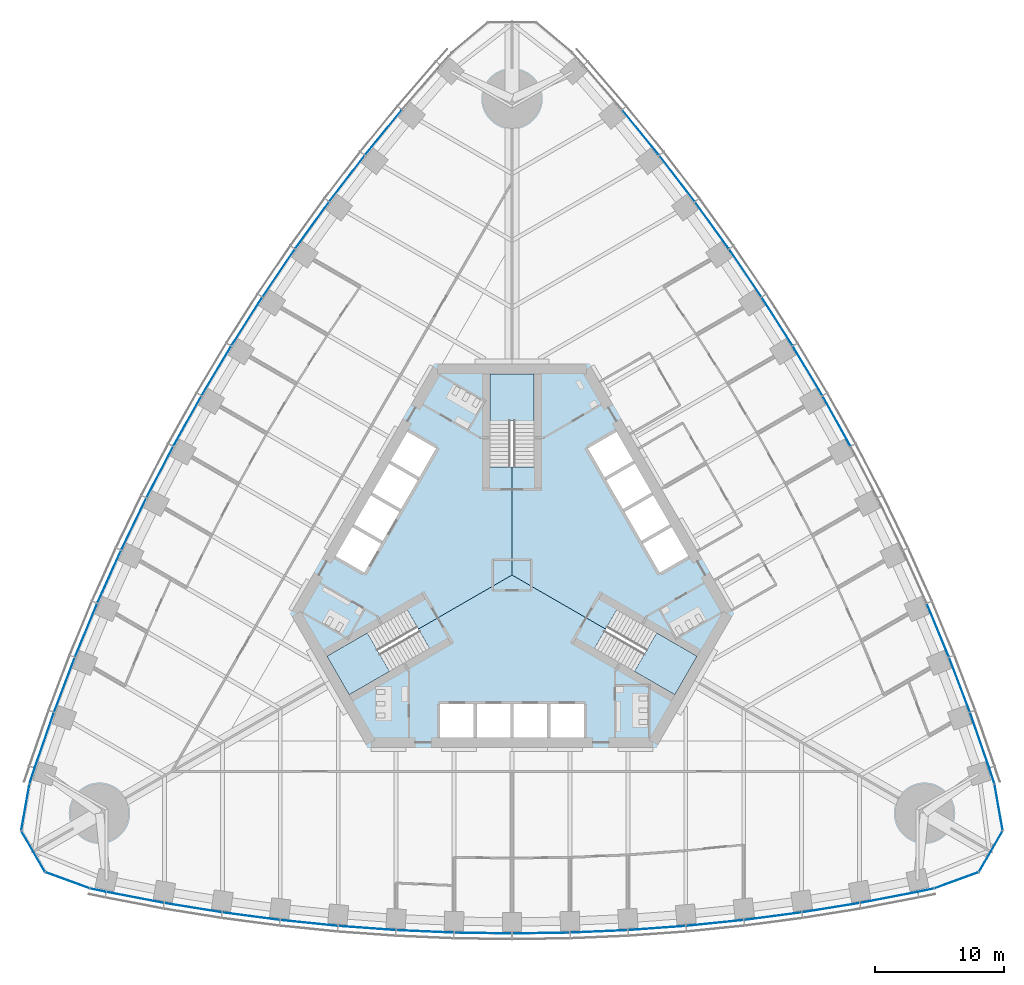
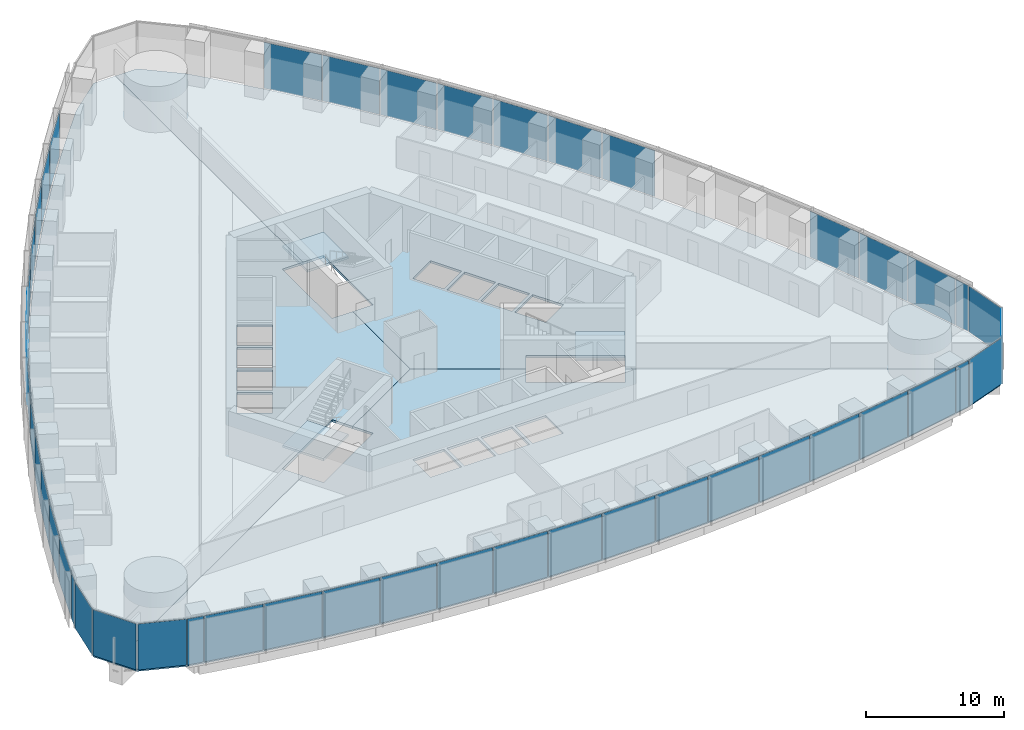
# One storey, part 8 of 18: 47 plates, 6 slabs, 8 elements without a shape of their own.
"""IFC4 building model written with IfcOpenShell, lengths in metres."""

import ifcopenshell
import ifcopenshell.guid

model = None  # the IFC model being written
_history = None  # IfcOwnerHistory: only IFC2X3 demands one
_inside = {}  # id of a spatial element -> (the spatial element, [elements in it])
_under = {}  # id of a project, library or spatial element -> (it, [spatial elements below it])
_declared = {}  # id of a project -> (the project, [libraries it declares])
_typed = {}  # id of a type object -> (the type object, [elements of that type])
_made_of = {}  # id of a material, layer set ... -> (it, [elements and type objects made of it])


def new_model(schema):
    """Start an empty IFC model of exactly this schema.

    Asked for "IFC4X3", IfcOpenShell would pick the latest addendum, in which some entities
    have other attributes; the version numbers below select the first issue.
    IFC2X3 requires an IfcOwnerHistory on every rooted entity: one is made here for all.
    """
    global model, _history
    if schema == "IFC4X3":
        model = ifcopenshell.file(schema_version=(4, 3, 0, 0))
    else:
        model = ifcopenshell.file(schema=schema)
    _inside.clear()
    _under.clear()
    _declared.clear()
    _typed.clear()
    _made_of.clear()
    _history = None
    if model.schema == "IFC2X3":
        org = make("IfcOrganization", Name="unknown")
        user = make(
            "IfcPersonAndOrganization",
            ThePerson=make("IfcPerson", FamilyName="unknown"),
            TheOrganization=org,
        )
        app = make(
            "IfcApplication",
            ApplicationDeveloper=org,
            Version="unknown",
            ApplicationFullName="unknown",
            ApplicationIdentifier="unknown",
        )
        _history = make(
            "IfcOwnerHistory",
            OwningUser=user,
            OwningApplication=app,
            ChangeAction="ADDED",
            CreationDate=0,
        )
    return model


def make(cls, **values):
    """One entity of the class cls with the attributes given. An attribute that is None is left unset."""
    return model.create_entity(
        cls, **{name: value for name, value in values.items() if value is not None}
    )


def rooted(cls, **values):
    """An entity with a GlobalId (a new one), such as an element, a storey or a relation."""
    return make(cls, GlobalId=ifcopenshell.guid.new(), OwnerHistory=_history, **values)


def si_unit(unit_type, name, prefix=None):
    """IfcSIUnit, for example si_unit("LENGTHUNIT", "METRE", prefix="MILLI")."""
    return make("IfcSIUnit", UnitType=unit_type, Prefix=prefix, Name=name)


def assignment(units):
    """IfcUnitAssignment: the units of a project."""
    return None if units is None else make("IfcUnitAssignment", Units=units)


def point(xyz):
    """IfcCartesianPoint."""
    return None if xyz is None else make("IfcCartesianPoint", Coordinates=xyz)


def direction(xyz):
    """IfcDirection."""
    return None if xyz is None else make("IfcDirection", DirectionRatios=xyz)


def frame(location, z_axis=None, x_axis=None):
    """IfcAxis2Placement3D, a coordinate frame: its origin and axes. An axis left out is left unset."""
    return make(
        "IfcAxis2Placement3D",
        Location=point(location),
        Axis=direction(z_axis),
        RefDirection=direction(x_axis),
    )


def frame_2d(location, x_axis=None):
    """IfcAxis2Placement2D, a coordinate frame in the plane: its origin and x axis."""
    return make(
        "IfcAxis2Placement2D", Location=point(location), RefDirection=direction(x_axis)
    )


def origin():
    """The frame at (0, 0, 0) with its axes left unset."""
    return frame((0.0, 0.0, 0.0))


def origin_2d():
    """The frame at (0, 0) in the plane with its x axis left unset."""
    return frame_2d((0.0, 0.0))


def place(relative_to, where):
    """IfcLocalPlacement: puts the frame where relative to a parent placement (None: the world)."""
    return make(
        "IfcLocalPlacement", PlacementRelTo=relative_to, RelativePlacement=where
    )


def context(
    kind, dimensions, precision=None, world=None, true_north=None, identifier=None
):
    """IfcGeometricRepresentationContext, for example the 3D "Model" context."""
    return make(
        "IfcGeometricRepresentationContext",
        ContextIdentifier=identifier,
        ContextType=kind,
        CoordinateSpaceDimension=dimensions,
        Precision=precision,
        WorldCoordinateSystem=world,
        TrueNorth=true_north,
    )


def subcontext(parent, identifier, kind, view, scale=None):
    """IfcGeometricRepresentationSubContext, for example "Body" below "Model"."""
    return make(
        "IfcGeometricRepresentationSubContext",
        ContextIdentifier=identifier,
        ContextType=kind,
        ParentContext=parent,
        TargetScale=scale,
        TargetView=view,
    )


def project(units=None, contexts=None):
    """IfcProject with its units and contexts."""
    return rooted(
        "IfcProject",
        Name="project",
        RepresentationContexts=contexts,
        UnitsInContext=assignment(units),
    )


def spatial(cls, under=None, at=None, **own):
    """A site, building, storey or space (cls), placed at a placement, below another one or the project."""
    s = rooted(cls, ObjectPlacement=at, **own)
    if under is not None:
        _under.setdefault(under.id(), (under, []))[1].append(s)
    return s


def polyline(points):
    """IfcPolyline through the points."""
    return make("IfcPolyline", Points=[point(p) for p in points])


def profile(cls, at=None, kind="AREA", **sizes):
    """A parametric profile (cls). Its sizes go by their IFC names, for example OverallWidth=200.0."""
    return make(cls, ProfileType=kind, Position=at, **sizes)


def rectangle(**sizes):
    """IfcRectangleProfileDef."""
    return profile("IfcRectangleProfileDef", **sizes)


def outline(outer, holes=None, kind="AREA"):
    """IfcArbitraryClosedProfileDef: a profile drawn as a closed curve; with holes, ...WithVoids."""
    if holes is None:
        return make("IfcArbitraryClosedProfileDef", ProfileType=kind, OuterCurve=outer)
    return make(
        "IfcArbitraryProfileDefWithVoids",
        ProfileType=kind,
        OuterCurve=outer,
        InnerCurves=holes,
    )


def extrude(swept, where, along, depth):
    """IfcExtrudedAreaSolid: the profile swept, set in the frame where, extruded along a direction by depth."""
    return make(
        "IfcExtrudedAreaSolid",
        SweptArea=swept,
        Position=where,
        ExtrudedDirection=direction(along),
        Depth=depth,
    )


def shape(context_of_items, identifier, shape_type, items):
    """IfcShapeRepresentation: the items that make up one representation, for example the "Body"."""
    return make(
        "IfcShapeRepresentation",
        ContextOfItems=context_of_items,
        RepresentationIdentifier=identifier,
        RepresentationType=shape_type,
        Items=items,
    )


def material(Name=None, Category=None):
    """IfcMaterial."""
    return make("IfcMaterial", Name=Name, Category=Category)


def layer(
    of_material, thickness, ventilated=None, Name=None, Category=None, Priority=None
):
    """IfcMaterialLayer: one layer of a wall or slab, of a material (None: an air gap)."""
    return make(
        "IfcMaterialLayer",
        Material=of_material,
        LayerThickness=thickness,
        IsVentilated=ventilated,
        Name=Name,
        Category=Category,
        Priority=Priority,
    )


def layer_set(layers, Name=None):
    """IfcMaterialLayerSet."""
    return make("IfcMaterialLayerSet", MaterialLayers=layers, LayerSetName=Name)


def made_of(thing, what):
    """Note that an element or type object is made of a material, layer set ...; save() writes the relation."""
    if what is not None:
        _made_of.setdefault(what.id(), (what, []))[1].append(thing)
    return thing


def type_object(cls, material=None, **own):
    """A type object (cls), such as IfcWallType, which elements share."""
    return made_of(rooted(cls, **own), material)


def element(
    cls,
    number,
    at=None,
    inside=None,
    cuts=None,
    type_object=None,
    material=None,
    context=None,
    identifier="Body",
    shape_type=None,
    held_by="IfcProductDefinitionShape",
    body=None,
    shapes=None,
    **own,
):
    """One element of the class cls, such as IfcWall. Its Tag is "e" and its number.

    at: its placement. inside: the storey or other place that contains it. cuts: it is an
    opening in that element (IfcRelVoidsElement). A single representation is given by context,
    identifier, shape_type and body (its items); several are given by shapes. held_by: the class
    of the entity that holds the representations. save() writes the other relations.
    """
    e = rooted(cls, Tag="e%d" % number, ObjectPlacement=at, **own)
    if body is not None:
        shapes = [shape(context, identifier, shape_type, body)]
    if shapes is not None:
        e.Representation = make(held_by, Representations=shapes)
    if inside is not None:
        _inside.setdefault(inside.id(), (inside, []))[1].append(e)
    if cuts is not None:
        rooted(
            "IfcRelVoidsElement", RelatingBuildingElement=cuts, RelatedOpeningElement=e
        )
    if type_object is not None:
        _typed.setdefault(type_object.id(), (type_object, []))[1].append(e)
    return made_of(e, material)


def aggregate(whole, parts):
    """IfcRelAggregates: a whole, such as a stair, and the parts it consists of."""
    return rooted("IfcRelAggregates", RelatingObject=whole, RelatedObjects=parts)


def save(model, path):
    """Write the relations noted so far, then the file.

    IfcRelAggregates (storeys below a building ...), IfcRelContainedInSpatialStructure (elements
    in a storey), IfcRelDefinesByType, IfcRelAssociatesMaterial and IfcRelDeclares: one each for
    every whole, place, type object, material and project.
    """
    for whole, parts in _under.values():
        aggregate(whole, parts)
    for where, things in _inside.values():
        rooted(
            "IfcRelContainedInSpatialStructure",
            RelatedElements=things,
            RelatingStructure=where,
        )
    for kind, things in _typed.values():
        rooted("IfcRelDefinesByType", RelatedObjects=things, RelatingType=kind)
    for what, things in _made_of.values():
        rooted("IfcRelAssociatesMaterial", RelatedObjects=things, RelatingMaterial=what)
    for by, libraries in _declared.values():
        rooted("IfcRelDeclares", RelatingContext=by, RelatedDefinitions=libraries)
    model.write(path)


model = new_model("IFC4")

# Units and contexts
model_context = context("Model", 3, precision=1e-05, world=origin(), true_north=direction((0.0, 1.0)))
body_context = subcontext(model_context, "Body", "Model", "MODEL_VIEW")
ifc_project = project(units=[si_unit("LENGTHUNIT", "METRE"), si_unit("AREAUNIT", "SQUARE_METRE"), si_unit("VOLUMEUNIT", "CUBIC_METRE"), si_unit("PLANEANGLEUNIT", "RADIAN"), si_unit("MASSUNIT", "GRAM", prefix="KILO")], contexts=[model_context])

# Site, building, storey
site_placement = place(None, origin())
site = spatial("IfcSite", under=ifc_project, at=site_placement, CompositionType="ELEMENT")
building_placement = place(site_placement, origin())
building = spatial("IfcBuilding", under=site, at=building_placement, Name="Trefoil Bronze Tower", CompositionType="ELEMENT")
storey_placement = place(building_placement, frame((0.0, 0.0, 58.5)))
storey = spatial("IfcBuildingStorey", under=building, at=storey_placement, Name="L13", CompositionType="ELEMENT", Elevation=58.5)

# Curtain wall, plates
ifc_material_1 = material(Name="Tinted solar-control glass", Category="glass")
curtain_wall_type_1 = type_object("IfcCurtainWallType", Name="Bronze office curtain wall", PredefinedType="USERDEFINED", material=ifc_material_1)
curtain_wall_1_placement = place(storey_placement, origin())
curtain_wall_1 = element("IfcCurtainWall", 1, at=curtain_wall_1_placement, inside=storey, type_object=curtain_wall_type_1, Name="CW-A L13 F1", ObjectType="CURTAIN WALL", PredefinedType="USERDEFINED")
ifc_material_2 = material(Name="Tinted solar-control glass", Category="glass")
ifc_layer_1 = layer(ifc_material_2, 0.030029296875)
ifc_layer_set_1 = layer_set([ifc_layer_1], Name="Bronze office curtain wall glass panel")
plate_type_1 = type_object("IfcPlateType", Name="Bronze office curtain wall glass panel", PredefinedType="CURTAIN_PANEL", material=ifc_layer_set_1)
plate_1_placement = place(storey_placement, frame((-32.15185546875, -24.480224609375, 0.0), z_axis=(0.0, 0.0, 1.0), x_axis=(0.978302717041, -0.207180582657, 0.0)))
plate_1 = element("IfcPlate", 2, at=plate_1_placement, type_object=plate_type_1, Name="CW-A L13 F1 panel 1", PredefinedType="CURTAIN_PANEL", context=body_context, shape_type="SweptSolid", body=[
    extrude(rectangle(XDim=1.21044921875, YDim=0.030029296875, at=origin_2d()), origin(), (0.0, 0.0, 1.0), 4.080078125),
])
plate_2_placement = place(storey_placement, frame((-29.268798828125, -25.04638671875, 0.0), z_axis=(0.0, 0.0, 1.0), x_axis=(0.982049823817, -0.188621694249, 0.0)))
plate_2 = element("IfcPlate", 3, at=plate_2_placement, type_object=plate_type_1, Name="CW-A L13 F1 panel 2", PredefinedType="CURTAIN_PANEL", context=body_context, shape_type="SweptSolid", body=[
    extrude(rectangle(XDim=4.502197265625, YDim=0.030029296875, at=origin_2d()), origin(), (0.0, 0.0, 1.0), 4.080078125),
])
plate_3_placement = place(storey_placement, frame((-24.765869140625, -25.8427734375, 0.0), z_axis=(0.0, 0.0, 1.0), x_axis=(0.987181315145, -0.159602791421, 0.0)))
plate_3 = element("IfcPlate", 4, at=plate_3_placement, type_object=plate_type_1, Name="CW-A L13 F1 panel 3", PredefinedType="CURTAIN_PANEL", context=body_context, shape_type="SweptSolid", body=[
    extrude(rectangle(XDim=4.478515625, YDim=0.030029296875, at=origin_2d()), origin(), (0.0, 0.0, 1.0), 4.080078125),
])
plate_4_placement = place(storey_placement, frame((-20.262939453125, -26.50341796875, 0.0), z_axis=(0.0, 0.0, 1.0), x_axis=(0.991437251591, -0.130583981243, 0.0)))
plate_4 = element("IfcPlate", 5, at=plate_4_placement, type_object=plate_type_1, Name="CW-A L13 F1 panel 4", PredefinedType="CURTAIN_PANEL", context=body_context, shape_type="SweptSolid", body=[
    extrude(rectangle(XDim=4.458984375, YDim=0.030029296875, at=origin_2d()), origin(), (0.0, 0.0, 1.0), 4.080078125),
])
plate_5_placement = place(storey_placement, frame((-15.76025390625, -27.02978515625, 0.0), z_axis=(0.0, 0.0, 1.0), x_axis=(0.994828880293, -0.101565244717, 0.0)))
plate_5 = element("IfcPlate", 6, at=plate_5_placement, type_object=plate_type_1, Name="CW-A L13 F1 panel 5", PredefinedType="CURTAIN_PANEL", context=body_context, shape_type="SweptSolid", body=[
    extrude(rectangle(XDim=4.443359375, YDim=0.030029296875, at=origin_2d()), origin(), (0.0, 0.0, 1.0), 4.080078125),
])
plate_6_placement = place(storey_placement, frame((-11.25732421875, -27.42333984375, 0.0), z_axis=(0.0, 0.0, 1.0), x_axis=(0.99736502647, -0.072546564177, 0.0)))
plate_6 = element("IfcPlate", 7, at=plate_6_placement, type_object=plate_type_1, Name="CW-A L13 F1 panel 6", PredefinedType="CURTAIN_PANEL", context=body_context, shape_type="SweptSolid", body=[
    extrude(rectangle(XDim=4.431884765625, YDim=0.030029296875, at=origin_2d()), origin(), (0.0, 0.0, 1.0), 4.080078125),
])
plate_7_placement = place(storey_placement, frame((-6.75439453125, -27.685302734375, 0.0), z_axis=(0.0, 0.0, 1.0), x_axis=(0.999052210809, -0.043527922969, 0.0)))
plate_7 = element("IfcPlate", 8, at=plate_7_placement, type_object=plate_type_1, Name="CW-A L13 F1 panel 7", PredefinedType="CURTAIN_PANEL", context=body_context, shape_type="SweptSolid", body=[
    extrude(rectangle(XDim=4.42431640625, YDim=0.030029296875, at=origin_2d()), origin(), (0.0, 0.0, 1.0), 4.080078125),
])
plate_8_placement = place(storey_placement, frame((-2.25146484375, -27.816162109375, 0.0), z_axis=(0.0, 0.0, 1.0), x_axis=(0.999894734493, -0.014509305083, 0.0)))
plate_8 = element("IfcPlate", 9, at=plate_8_placement, type_object=plate_type_1, Name="CW-A L13 F1 panel 8", PredefinedType="CURTAIN_PANEL", context=body_context, shape_type="SweptSolid", body=[
    extrude(rectangle(XDim=4.42041015625, YDim=0.030029296875, at=origin_2d()), origin(), (0.0, 0.0, 1.0), 4.080078125),
])
plate_9_placement = place(storey_placement, frame((2.25146484375, -27.816162109375, 0.0), z_axis=(0.0, 0.0, 1.0), x_axis=(0.999894734493, 0.014509305083, 0.0)))
plate_9 = element("IfcPlate", 10, at=plate_9_placement, type_object=plate_type_1, Name="CW-A L13 F1 panel 9", PredefinedType="CURTAIN_PANEL", context=body_context, shape_type="SweptSolid", body=[
    extrude(rectangle(XDim=4.42041015625, YDim=0.030029296875, at=origin_2d()), origin(), (0.0, 0.0, 1.0), 4.080078125),
])
plate_10_placement = place(storey_placement, frame((6.75439453125, -27.685302734375, 0.0), z_axis=(0.0, 0.0, 1.0), x_axis=(0.999052210809, 0.043527922969, 0.0)))
plate_10 = element("IfcPlate", 11, at=plate_10_placement, type_object=plate_type_1, Name="CW-A L13 F1 panel 10", PredefinedType="CURTAIN_PANEL", context=body_context, shape_type="SweptSolid", body=[
    extrude(rectangle(XDim=4.42431640625, YDim=0.030029296875, at=origin_2d()), origin(), (0.0, 0.0, 1.0), 4.080078125),
])
plate_11_placement = place(storey_placement, frame((11.25732421875, -27.42333984375, 0.0), z_axis=(0.0, 0.0, 1.0), x_axis=(0.99736502647, 0.072546564177, 0.0)))
plate_11 = element("IfcPlate", 12, at=plate_11_placement, type_object=plate_type_1, Name="CW-A L13 F1 panel 11", PredefinedType="CURTAIN_PANEL", context=body_context, shape_type="SweptSolid", body=[
    extrude(rectangle(XDim=4.431884765625, YDim=0.030029296875, at=origin_2d()), origin(), (0.0, 0.0, 1.0), 4.080078125),
])
plate_12_placement = place(storey_placement, frame((15.76025390625, -27.02978515625, 0.0), z_axis=(0.0, 0.0, 1.0), x_axis=(0.994828880293, 0.101565244717, 0.0)))
plate_12 = element("IfcPlate", 13, at=plate_12_placement, type_object=plate_type_1, Name="CW-A L13 F1 panel 12", PredefinedType="CURTAIN_PANEL", context=body_context, shape_type="SweptSolid", body=[
    extrude(rectangle(XDim=4.443359375, YDim=0.030029296875, at=origin_2d()), origin(), (0.0, 0.0, 1.0), 4.080078125),
])
plate_13_placement = place(storey_placement, frame((20.262939453125, -26.50341796875, 0.0), z_axis=(0.0, 0.0, 1.0), x_axis=(0.991437251591, 0.130583981243, 0.0)))
plate_13 = element("IfcPlate", 14, at=plate_13_placement, type_object=plate_type_1, Name="CW-A L13 F1 panel 13", PredefinedType="CURTAIN_PANEL", context=body_context, shape_type="SweptSolid", body=[
    extrude(rectangle(XDim=4.458984375, YDim=0.030029296875, at=origin_2d()), origin(), (0.0, 0.0, 1.0), 4.080078125),
])
plate_14_placement = place(storey_placement, frame((24.765869140625, -25.8427734375, 0.0), z_axis=(0.0, 0.0, 1.0), x_axis=(0.987181315145, 0.159602791421, 0.0)))
plate_14 = element("IfcPlate", 15, at=plate_14_placement, type_object=plate_type_1, Name="CW-A L13 F1 panel 14", PredefinedType="CURTAIN_PANEL", context=body_context, shape_type="SweptSolid", body=[
    extrude(rectangle(XDim=4.478515625, YDim=0.030029296875, at=origin_2d()), origin(), (0.0, 0.0, 1.0), 4.080078125),
])
plate_15_placement = place(storey_placement, frame((29.268798828125, -25.04638671875, 0.0), z_axis=(0.0, 0.0, 1.0), x_axis=(0.982049823817, 0.188621694249, 0.0)))
plate_15 = element("IfcPlate", 16, at=plate_15_placement, type_object=plate_type_1, Name="CW-A L13 F1 panel 15", PredefinedType="CURTAIN_PANEL", context=body_context, shape_type="SweptSolid", body=[
    extrude(rectangle(XDim=4.502197265625, YDim=0.030029296875, at=origin_2d()), origin(), (0.0, 0.0, 1.0), 4.080078125),
])
plate_16_placement = place(storey_placement, frame((32.15185546875, -24.480224609375, 0.0), z_axis=(0.0, 0.0, 1.0), x_axis=(0.978302717041, 0.207180582657, 0.0)))
plate_16 = element("IfcPlate", 17, at=plate_16_placement, type_object=plate_type_1, Name="CW-A L13 F1 panel 16", PredefinedType="CURTAIN_PANEL", context=body_context, shape_type="SweptSolid", body=[
    extrude(rectangle(XDim=1.21044921875, YDim=0.030029296875, at=origin_2d()), origin(), (0.0, 0.0, 1.0), 4.080078125),
])
aggregate(curtain_wall_1, [plate_1, plate_2, plate_3, plate_4, plate_5, plate_6, plate_7, plate_8, plate_9, plate_10, plate_11, plate_12, plate_13, plate_14, plate_15, plate_16])

curtain_wall_2_placement = place(storey_placement, origin())
curtain_wall_2 = element("IfcCurtainWall", 18, at=curtain_wall_2_placement, inside=storey, type_object=curtain_wall_type_1, Name="CW-A L13 F2", ObjectType="CURTAIN WALL", PredefinedType="USERDEFINED")
plate_17_placement = place(storey_placement, frame((37.2763671875, -15.604248046875, 0.0), z_axis=(0.0, 0.0, 1.0), x_axis=(-0.309727710769, 0.950825296877, 0.0)))
plate_17 = element("IfcPlate", 19, at=plate_17_placement, type_object=plate_type_1, Name="CW-A L13 F2 panel 1", PredefinedType="CURTAIN_PANEL", context=body_context, shape_type="SweptSolid", body=[
    extrude(rectangle(XDim=1.21044921875, YDim=0.030029296875, at=origin_2d()), origin(), (0.0, 0.0, 1.0), 4.080078125),
])
plate_18_placement = place(storey_placement, frame((36.3251953125, -12.824462890625, 0.0), z_axis=(0.0, 0.0, 1.0), x_axis=(-0.327673732984, 0.944790942332, 0.0)))
plate_18 = element("IfcPlate", 20, at=plate_18_placement, type_object=plate_type_1, Name="CW-A L13 F2 panel 2", PredefinedType="CURTAIN_PANEL", context=body_context, shape_type="SweptSolid", body=[
    extrude(rectangle(XDim=4.502197265625, YDim=0.030029296875, at=origin_2d()), origin(), (0.0, 0.0, 1.0), 4.080078125),
])
plate_19_placement = place(storey_placement, frame((34.763427734375, -8.526611328125, 0.0), z_axis=(0.0, 0.0, 1.0), x_axis=(-0.355370585687, 0.934725492767, 0.0)))
plate_19 = element("IfcPlate", 21, at=plate_19_placement, type_object=plate_type_1, Name="CW-A L13 F2 panel 3", PredefinedType="CURTAIN_PANEL", context=body_context, shape_type="SweptSolid", body=[
    extrude(rectangle(XDim=4.478515625, YDim=0.030029296875, at=origin_2d()), origin(), (0.0, 0.0, 1.0), 4.080078125),
])
plate_20_placement = place(storey_placement, frame((33.084228515625, -4.296630859375, 0.0), z_axis=(0.0, 0.0, 1.0), x_axis=(-0.382629580712, 0.923901836758, 0.0)))
plate_20 = element("IfcPlate", 22, at=plate_20_placement, type_object=plate_type_1, Name="CW-A L13 F2 panel 4", PredefinedType="CURTAIN_PANEL", context=body_context, shape_type="SweptSolid", body=[
    extrude(rectangle(XDim=4.458984375, YDim=0.030029296875, at=origin_2d()), origin(), (0.0, 0.0, 1.0), 4.080078125),
])
plate_21_placement = place(storey_placement, frame((25.215087890625, 11.958251953125, 0.0), z_axis=(0.0, 0.0, 1.0), x_axis=(-0.487381940453, 0.873188893722, 0.0)))
plate_21 = element("IfcPlate", 23, at=plate_21_placement, type_object=plate_type_1, Name="CW-A L13 F2 panel 8", PredefinedType="CURTAIN_PANEL", context=body_context, shape_type="SweptSolid", body=[
    extrude(rectangle(XDim=4.42041015625, YDim=0.030029296875, at=origin_2d()), origin(), (0.0, 0.0, 1.0), 4.080078125),
])
plate_22_placement = place(storey_placement, frame((22.963623046875, 15.85791015625, 0.0), z_axis=(0.0, 0.0, 1.0), x_axis=(-0.51251279404, 0.858679588639, 0.0)))
plate_22 = element("IfcPlate", 24, at=plate_22_placement, type_object=plate_type_1, Name="CW-A L13 F2 panel 9", PredefinedType="CURTAIN_PANEL", context=body_context, shape_type="SweptSolid", body=[
    extrude(rectangle(XDim=4.42041015625, YDim=0.030029296875, at=origin_2d()), origin(), (0.0, 0.0, 1.0), 4.080078125),
])
plate_23_placement = place(storey_placement, frame((20.598876953125, 19.692138671875, 0.0), z_axis=(0.0, 0.0, 1.0), x_axis=(-0.537222392469, 0.843440632783, 0.0)))
plate_23 = element("IfcPlate", 25, at=plate_23_placement, type_object=plate_type_1, Name="CW-A L13 F2 panel 10", PredefinedType="CURTAIN_PANEL", context=body_context, shape_type="SweptSolid", body=[
    extrude(rectangle(XDim=4.42431640625, YDim=0.030029296875, at=origin_2d()), origin(), (0.0, 0.0, 1.0), 4.080078125),
])
plate_24_placement = place(storey_placement, frame((18.120849609375, 23.460693359375, 0.0), z_axis=(0.0, 0.0, 1.0), x_axis=(-0.56150968077, 0.827470167681, 0.0)))
plate_24 = element("IfcPlate", 26, at=plate_24_placement, type_object=plate_type_1, Name="CW-A L13 F2 panel 11", PredefinedType="CURTAIN_PANEL", context=body_context, shape_type="SweptSolid", body=[
    extrude(rectangle(XDim=4.431884765625, YDim=0.030029296875, at=origin_2d()), origin(), (0.0, 0.0, 1.0), 4.080078125),
])
plate_25_placement = place(storey_placement, frame((15.5283203125, 27.16357421875, 0.0), z_axis=(0.0, 0.0, 1.0), x_axis=(-0.585372522213, 0.810764460394, 0.0)))
plate_25 = element("IfcPlate", 27, at=plate_25_placement, type_object=plate_type_1, Name="CW-A L13 F2 panel 12", PredefinedType="CURTAIN_PANEL", context=body_context, shape_type="SweptSolid", body=[
    extrude(rectangle(XDim=4.443359375, YDim=0.030029296875, at=origin_2d()), origin(), (0.0, 0.0, 1.0), 4.080078125),
])
plate_26_placement = place(storey_placement, frame((12.821044921875, 30.800048828125, 0.0), z_axis=(0.0, 0.0, 1.0), x_axis=(-0.608807670879, 0.793317855515, 0.0)))
plate_26 = element("IfcPlate", 28, at=plate_26_placement, type_object=plate_type_1, Name="CW-A L13 F2 panel 13", PredefinedType="CURTAIN_PANEL", context=body_context, shape_type="SweptSolid", body=[
    extrude(rectangle(XDim=4.458984375, YDim=0.030029296875, at=origin_2d()), origin(), (0.0, 0.0, 1.0), 4.080078125),
])
plate_27_placement = place(storey_placement, frame((9.99755859375, 34.369384765625, 0.0), z_axis=(0.0, 0.0, 1.0), x_axis=(-0.631810729457, 0.775122701346, 0.0)))
plate_27 = element("IfcPlate", 29, at=plate_27_placement, type_object=plate_type_1, Name="CW-A L13 F2 panel 14", PredefinedType="CURTAIN_PANEL", context=body_context, shape_type="SweptSolid", body=[
    extrude(rectangle(XDim=4.478515625, YDim=0.030029296875, at=origin_2d()), origin(), (0.0, 0.0, 1.0), 4.080078125),
])
aggregate(curtain_wall_2, [plate_17, plate_18, plate_19, plate_20, plate_21, plate_22, plate_23, plate_24, plate_25, plate_26, plate_27])

curtain_wall_3_placement = place(storey_placement, origin())
curtain_wall_3 = element("IfcCurtainWall", 30, at=curtain_wall_3_placement, inside=storey, type_object=curtain_wall_type_1, Name="CW-A L13 F3", ObjectType="CURTAIN WALL", PredefinedType="USERDEFINED")
plate_28_placement = place(storey_placement, frame((-9.99755859375, 34.369384765625, 0.0), z_axis=(0.0, 0.0, 1.0), x_axis=(-0.631810729457, -0.775122701346, 0.0)))
plate_28 = element("IfcPlate", 31, at=plate_28_placement, type_object=plate_type_1, Name="CW-A L13 F3 panel 3", PredefinedType="CURTAIN_PANEL", context=body_context, shape_type="SweptSolid", body=[
    extrude(rectangle(XDim=4.478515625, YDim=0.030029296875, at=origin_2d()), origin(), (0.0, 0.0, 1.0), 4.080078125),
])
plate_29_placement = place(storey_placement, frame((-12.821044921875, 30.800048828125, 0.0), z_axis=(0.0, 0.0, 1.0), x_axis=(-0.608807670879, -0.793317855515, 0.0)))
plate_29 = element("IfcPlate", 32, at=plate_29_placement, type_object=plate_type_1, Name="CW-A L13 F3 panel 4", PredefinedType="CURTAIN_PANEL", context=body_context, shape_type="SweptSolid", body=[
    extrude(rectangle(XDim=4.458984375, YDim=0.030029296875, at=origin_2d()), origin(), (0.0, 0.0, 1.0), 4.080078125),
])
plate_30_placement = place(storey_placement, frame((-15.5283203125, 27.16357421875, 0.0), z_axis=(0.0, 0.0, 1.0), x_axis=(-0.585372522213, -0.810764460394, 0.0)))
plate_30 = element("IfcPlate", 33, at=plate_30_placement, type_object=plate_type_1, Name="CW-A L13 F3 panel 5", PredefinedType="CURTAIN_PANEL", context=body_context, shape_type="SweptSolid", body=[
    extrude(rectangle(XDim=4.443359375, YDim=0.030029296875, at=origin_2d()), origin(), (0.0, 0.0, 1.0), 4.080078125),
])
plate_31_placement = place(storey_placement, frame((-18.120849609375, 23.460693359375, 0.0), z_axis=(0.0, 0.0, 1.0), x_axis=(-0.56150968077, -0.827470167681, 0.0)))
plate_31 = element("IfcPlate", 34, at=plate_31_placement, type_object=plate_type_1, Name="CW-A L13 F3 panel 6", PredefinedType="CURTAIN_PANEL", context=body_context, shape_type="SweptSolid", body=[
    extrude(rectangle(XDim=4.431884765625, YDim=0.030029296875, at=origin_2d()), origin(), (0.0, 0.0, 1.0), 4.080078125),
])
plate_32_placement = place(storey_placement, frame((-20.598876953125, 19.692138671875, 0.0), z_axis=(0.0, 0.0, 1.0), x_axis=(-0.537222392469, -0.843440632783, 0.0)))
plate_32 = element("IfcPlate", 35, at=plate_32_placement, type_object=plate_type_1, Name="CW-A L13 F3 panel 7", PredefinedType="CURTAIN_PANEL", context=body_context, shape_type="SweptSolid", body=[
    extrude(rectangle(XDim=4.42431640625, YDim=0.030029296875, at=origin_2d()), origin(), (0.0, 0.0, 1.0), 4.080078125),
])
plate_33_placement = place(storey_placement, frame((-22.963623046875, 15.85791015625, 0.0), z_axis=(0.0, 0.0, 1.0), x_axis=(-0.51251279404, -0.858679588639, 0.0)))
plate_33 = element("IfcPlate", 36, at=plate_33_placement, type_object=plate_type_1, Name="CW-A L13 F3 panel 8", PredefinedType="CURTAIN_PANEL", context=body_context, shape_type="SweptSolid", body=[
    extrude(rectangle(XDim=4.42041015625, YDim=0.030029296875, at=origin_2d()), origin(), (0.0, 0.0, 1.0), 4.080078125),
])
plate_34_placement = place(storey_placement, frame((-25.215087890625, 11.958251953125, 0.0), z_axis=(0.0, 0.0, 1.0), x_axis=(-0.487381940453, -0.873188893722, 0.0)))
plate_34 = element("IfcPlate", 37, at=plate_34_placement, type_object=plate_type_1, Name="CW-A L13 F3 panel 9", PredefinedType="CURTAIN_PANEL", context=body_context, shape_type="SweptSolid", body=[
    extrude(rectangle(XDim=4.42041015625, YDim=0.030029296875, at=origin_2d()), origin(), (0.0, 0.0, 1.0), 4.080078125),
])
plate_35_placement = place(storey_placement, frame((-27.353271484375, 7.9931640625, 0.0), z_axis=(0.0, 0.0, 1.0), x_axis=(-0.46182981834, -0.886968555752, 0.0)))
plate_35 = element("IfcPlate", 38, at=plate_35_placement, type_object=plate_type_1, Name="CW-A L13 F3 panel 10", PredefinedType="CURTAIN_PANEL", context=body_context, shape_type="SweptSolid", body=[
    extrude(rectangle(XDim=4.42431640625, YDim=0.030029296875, at=origin_2d()), origin(), (0.0, 0.0, 1.0), 4.080078125),
])
plate_36_placement = place(storey_placement, frame((-29.3779296875, 3.962646484375, 0.0), z_axis=(0.0, 0.0, 1.0), x_axis=(-0.4358553457, -0.900016731858, 0.0)))
plate_36 = element("IfcPlate", 39, at=plate_36_placement, type_object=plate_type_1, Name="CW-A L13 F3 panel 11", PredefinedType="CURTAIN_PANEL", context=body_context, shape_type="SweptSolid", body=[
    extrude(rectangle(XDim=4.431884765625, YDim=0.030029296875, at=origin_2d()), origin(), (0.0, 0.0, 1.0), 4.080078125),
])
plate_37_placement = place(storey_placement, frame((-31.28857421875, -0.1337890625, 0.0), z_axis=(0.0, 0.0, 1.0), x_axis=(-0.40945635808, -0.912329705111, 0.0)))
plate_37 = element("IfcPlate", 40, at=plate_37_placement, type_object=plate_type_1, Name="CW-A L13 F3 panel 12", PredefinedType="CURTAIN_PANEL", context=body_context, shape_type="SweptSolid", body=[
    extrude(rectangle(XDim=4.443359375, YDim=0.030029296875, at=origin_2d()), origin(), (0.0, 0.0, 1.0), 4.080078125),
])
plate_38_placement = place(storey_placement, frame((-33.084228515625, -4.296630859375, 0.0), z_axis=(0.0, 0.0, 1.0), x_axis=(-0.382629580712, -0.923901836758, 0.0)))
plate_38 = element("IfcPlate", 41, at=plate_38_placement, type_object=plate_type_1, Name="CW-A L13 F3 panel 13", PredefinedType="CURTAIN_PANEL", context=body_context, shape_type="SweptSolid", body=[
    extrude(rectangle(XDim=4.458984375, YDim=0.030029296875, at=origin_2d()), origin(), (0.0, 0.0, 1.0), 4.080078125),
])
plate_39_placement = place(storey_placement, frame((-34.763427734375, -8.526611328125, 0.0), z_axis=(0.0, 0.0, 1.0), x_axis=(-0.355370585687, -0.934725492767, 0.0)))
plate_39 = element("IfcPlate", 42, at=plate_39_placement, type_object=plate_type_1, Name="CW-A L13 F3 panel 14", PredefinedType="CURTAIN_PANEL", context=body_context, shape_type="SweptSolid", body=[
    extrude(rectangle(XDim=4.478515625, YDim=0.030029296875, at=origin_2d()), origin(), (0.0, 0.0, 1.0), 4.080078125),
])
plate_40_placement = place(storey_placement, frame((-36.3251953125, -12.824462890625, 0.0), z_axis=(0.0, 0.0, 1.0), x_axis=(-0.327673732984, -0.944790942332, 0.0)))
plate_40 = element("IfcPlate", 43, at=plate_40_placement, type_object=plate_type_1, Name="CW-A L13 F3 panel 15", PredefinedType="CURTAIN_PANEL", context=body_context, shape_type="SweptSolid", body=[
    extrude(rectangle(XDim=4.502197265625, YDim=0.030029296875, at=origin_2d()), origin(), (0.0, 0.0, 1.0), 4.080078125),
])
plate_41_placement = place(storey_placement, frame((-37.2763671875, -15.604248046875, 0.0), z_axis=(0.0, 0.0, 1.0), x_axis=(-0.309727710769, -0.950825296877, 0.0)))
plate_41 = element("IfcPlate", 44, at=plate_41_placement, type_object=plate_type_1, Name="CW-A L13 F3 panel 16", PredefinedType="CURTAIN_PANEL", context=body_context, shape_type="SweptSolid", body=[
    extrude(rectangle(XDim=1.21044921875, YDim=0.030029296875, at=origin_2d()), origin(), (0.0, 0.0, 1.0), 4.080078125),
])
aggregate(curtain_wall_3, [plate_28, plate_29, plate_30, plate_31, plate_32, plate_33, plate_34, plate_35, plate_36, plate_37, plate_38, plate_39, plate_40, plate_41])

ifc_material_3 = material(Name="Tinted solar-control glass", Category="glass")
curtain_wall_type_2 = type_object("IfcCurtainWallType", Name="Bronze rounded corner curtain wall", PredefinedType="USERDEFINED", material=ifc_material_3)
curtain_wall_4_placement = place(storey_placement, origin())
curtain_wall_4 = element("IfcCurtainWall", 45, at=curtain_wall_4_placement, inside=storey, type_object=curtain_wall_type_2, Name="CW-B L13 K1", ObjectType="CURTAIN WALL", PredefinedType="USERDEFINED")
ifc_material_4 = material(Name="Tinted solar-control glass", Category="glass")
ifc_layer_2 = layer(ifc_material_4, 0.030029296875)
ifc_layer_set_2 = layer_set([ifc_layer_2], Name="Bronze rounded corner curtain wall glass panel")
plate_type_2 = type_object("IfcPlateType", Name="Bronze rounded corner curtain wall glass panel", PredefinedType="CURTAIN_PANEL", material=ifc_layer_set_2)
plate_42_placement = place(storey_placement, frame((34.5107421875, -23.71875, 0.0), z_axis=(0.0, 0.0, 1.0), x_axis=(0.939692620786, 0.342020143326, 0.0)))
plate_42 = element("IfcPlate", 46, at=plate_42_placement, type_object=plate_type_2, Name="CW-B L13 K1 panel 1", PredefinedType="CURTAIN_PANEL", context=body_context, shape_type="SweptSolid", body=[
    extrude(rectangle(XDim=3.588134765625, YDim=0.030029296875, at=origin_2d()), origin(), (0.0, 0.0, 1.0), 4.080078125),
])
plate_43_placement = place(storey_placement, frame((37.189208984375, -21.47119140625, 0.0), z_axis=(0.0, 0.0, 1.0), x_axis=(0.5, 0.866025403784, 0.0)))
plate_43 = element("IfcPlate", 47, at=plate_43_placement, type_object=plate_type_2, Name="CW-B L13 K1 panel 2", PredefinedType="CURTAIN_PANEL", context=body_context, shape_type="SweptSolid", body=[
    extrude(rectangle(XDim=3.588134765625, YDim=0.030029296875, at=origin_2d()), origin(), (0.0, 0.0, 1.0), 4.080078125),
])
plate_44_placement = place(storey_placement, frame((37.79638671875, -18.02783203125, 0.0), z_axis=(0.0, 0.0, 1.0), x_axis=(-0.173648177667, 0.984807753012, 0.0)))
plate_44 = element("IfcPlate", 48, at=plate_44_placement, type_object=plate_type_2, Name="CW-B L13 K1 panel 3", PredefinedType="CURTAIN_PANEL", context=body_context, shape_type="SweptSolid", body=[
    extrude(rectangle(XDim=3.588134765625, YDim=0.030029296875, at=origin_2d()), origin(), (0.0, 0.0, 1.0), 4.080078125),
])
aggregate(curtain_wall_4, [plate_42, plate_43, plate_44])

curtain_wall_5_placement = place(storey_placement, origin())
curtain_wall_5 = element("IfcCurtainWall", 49, at=curtain_wall_5_placement, inside=storey, type_object=curtain_wall_type_2, Name="CW-B L13 K3", ObjectType="CURTAIN WALL", PredefinedType="USERDEFINED")
plate_45_placement = place(storey_placement, frame((-37.79638671875, -18.02783203125, 0.0), z_axis=(0.0, 0.0, 1.0), x_axis=(-0.173648177667, -0.984807753012, 0.0)))
plate_45 = element("IfcPlate", 50, at=plate_45_placement, type_object=plate_type_2, Name="CW-B L13 K3 panel 1", PredefinedType="CURTAIN_PANEL", context=body_context, shape_type="SweptSolid", body=[
    extrude(rectangle(XDim=3.588134765625, YDim=0.030029296875, at=origin_2d()), origin(), (0.0, 0.0, 1.0), 4.080078125),
])
plate_46_placement = place(storey_placement, frame((-37.189208984375, -21.47119140625, 0.0), z_axis=(0.0, 0.0, 1.0), x_axis=(0.5, -0.866025403784, 0.0)))
plate_46 = element("IfcPlate", 51, at=plate_46_placement, type_object=plate_type_2, Name="CW-B L13 K3 panel 2", PredefinedType="CURTAIN_PANEL", context=body_context, shape_type="SweptSolid", body=[
    extrude(rectangle(XDim=3.588134765625, YDim=0.030029296875, at=origin_2d()), origin(), (0.0, 0.0, 1.0), 4.080078125),
])
plate_47_placement = place(storey_placement, frame((-34.5107421875, -23.71875, 0.0), z_axis=(0.0, 0.0, 1.0), x_axis=(0.939692620786, -0.342020143326, 0.0)))
plate_47 = element("IfcPlate", 52, at=plate_47_placement, type_object=plate_type_2, Name="CW-B L13 K3 panel 3", PredefinedType="CURTAIN_PANEL", context=body_context, shape_type="SweptSolid", body=[
    extrude(rectangle(XDim=3.588134765625, YDim=0.030029296875, at=origin_2d()), origin(), (0.0, 0.0, 1.0), 4.080078125),
])
aggregate(curtain_wall_5, [plate_45, plate_46, plate_47])

# Slabs
ifc_material_5 = material(Name="Concrete B30", Category="concrete")
ifc_layer_3 = layer(ifc_material_5, 0.199951171875)
ifc_layer_set_3 = layer_set([ifc_layer_3], Name="Floor slab 200")
slab_type_1 = type_object("IfcSlabType", Name="Floor slab 200", PredefinedType="FLOOR", material=ifc_layer_set_3)
slab_1_placement = place(storey_placement, frame((0.0, 0.0, -0.199951171875)))
element("IfcSlab", 53, at=slab_1_placement, inside=storey, type_object=slab_type_1, Name="Floor slab L13 face 1", PredefinedType="FLOOR", context=body_context, shape_type="SweptSolid", body=[
    extrude(outline(polyline([(27.0, -25.38037109375), (22.5, -26.10791015625), (18.0, -26.70068359375), (13.5, -27.159912109375), (9.0, -27.4873046875), (4.5, -27.683349609375), (0.0, -27.748779296875), (-4.5, -27.683349609375), (-9.0, -27.4873046875), (-13.5, -27.159912109375), (-18.0, -26.70068359375), (-22.5, -26.10791015625), (-27.0, -25.38037109375), (-31.5, -24.51611328125), (-32.762451171875, -24.248779296875), (-36.190673828125, -23.0009765625), (-37.1025390625, -21.421142578125), (-13.510009765625, -7.800048828125), (-12.6474609375, -9.2939453125), (-6.412109375, -5.69384765625), (-7.274658203125, -4.199951171875), (0.0, 0.0), (7.274658203125, -4.199951171875), (6.412109375, -5.69384765625), (12.6474609375, -9.2939453125), (13.510009765625, -7.800048828125), (37.1025390625, -21.421142578125), (36.190673828125, -23.0009765625), (32.762451171875, -24.248779296875), (31.5, -24.51611328125), (27.0, -25.38037109375)]), holes=[polyline([(-5.574951171875, -10.02490234375), (-2.97509765625, -10.02490234375), (-2.97509765625, -12.60009765625), (-5.574951171875, -12.60009765625), (-5.574951171875, -10.02490234375)]), polyline([(-2.72509765625, -10.02490234375), (-0.125, -10.02490234375), (-0.125, -12.60009765625), (-2.72509765625, -12.60009765625), (-2.72509765625, -10.02490234375)]), polyline([(0.125, -10.02490234375), (2.72509765625, -10.02490234375), (2.72509765625, -12.60009765625), (0.125, -12.60009765625), (0.125, -10.02490234375)]), polyline([(2.97509765625, -10.02490234375), (5.574951171875, -10.02490234375), (5.574951171875, -12.60009765625), (2.97509765625, -12.60009765625), (2.97509765625, -10.02490234375)])]), origin(), (0.0, 0.0, 1.0), 0.199951171875),
])
slab_2_placement = place(storey_placement, frame((0.0, 0.0, -0.199951171875)))
element("IfcSlab", 54, at=slab_2_placement, inside=storey, type_object=slab_type_1, Name="Floor slab L13 face 2", PredefinedType="FLOOR", context=body_context, shape_type="SweptSolid", body=[
    extrude(outline(polyline([(8.47998046875, 36.07275390625), (11.360107421875, 32.53955078125), (14.123291015625, 28.938720703125), (16.771240234375, 25.271240234375), (19.3046875, 21.537841796875), (21.724609375, 17.73876953125), (24.031005859375, 13.874267578125), (26.224609375, 9.944580078125), (28.3046875, 5.949462890625), (30.271240234375, 1.888671875), (32.123291015625, -2.238037109375), (33.860107421875, -6.431640625), (35.47998046875, -10.6923828125), (36.9814453125, -15.021728515625), (37.381103515625, -16.248779296875), (38.0146484375, -19.841552734375), (37.1025390625, -21.421142578125), (13.510009765625, -7.800048828125), (14.37255859375, -6.30615234375), (8.13720703125, -2.7060546875), (7.274658203125, -4.199951171875), (0.0, 0.0), (0.0, 8.39990234375), (1.72509765625, 8.39990234375), (1.72509765625, 15.60009765625), (0.0, 15.60009765625), (0.0, 42.842529296875), (1.82421875, 42.842529296875), (4.618896484375, 40.497314453125), (5.4814453125, 39.537841796875), (8.47998046875, 36.07275390625)]), holes=[polyline([(11.469482421875, 0.184326171875), (10.16943359375, 2.43603515625), (12.3994140625, 3.7236328125), (13.699462890625, 1.471923828125), (11.469482421875, 0.184326171875)]), polyline([(10.04443359375, 2.652587890625), (8.744384765625, 4.904296875), (10.974365234375, 6.191650390625), (12.2744140625, 3.940185546875), (10.04443359375, 2.652587890625)]), polyline([(8.619384765625, 5.120849609375), (7.3193359375, 7.372314453125), (9.54931640625, 8.659912109375), (10.849365234375, 6.408203125), (8.619384765625, 5.120849609375)]), polyline([(7.1943359375, 7.5888671875), (5.894287109375, 9.840576171875), (8.12451171875, 11.128173828125), (9.42431640625, 8.87646484375), (7.1943359375, 7.5888671875)])]), origin(), (0.0, 0.0, 1.0), 0.199951171875),
])
slab_3_placement = place(storey_placement, frame((0.0, 0.0, -0.199951171875)))
element("IfcSlab", 55, at=slab_3_placement, inside=storey, type_object=slab_type_1, Name="Floor slab L13 face 3", PredefinedType="FLOOR", context=body_context, shape_type="SweptSolid", body=[
    extrude(outline(polyline([(-35.47998046875, -10.6923828125), (-33.860107421875, -6.431640625), (-32.123291015625, -2.238037109375), (-30.271240234375, 1.888671875), (-28.3046875, 5.949462890625), (-26.224609375, 9.944580078125), (-24.031005859375, 13.874267578125), (-21.724609375, 17.73876953125), (-19.3046875, 21.537841796875), (-16.771240234375, 25.271240234375), (-14.123291015625, 28.938720703125), (-11.360107421875, 32.53955078125), (-8.47998046875, 36.07275390625), (-5.4814453125, 39.537841796875), (-4.618896484375, 40.497314453125), (-1.82421875, 42.842529296875), (0.0, 42.842529296875), (0.0, 15.60009765625), (-1.72509765625, 15.60009765625), (-1.72509765625, 8.39990234375), (0.0, 8.39990234375), (0.0, 0.0), (-7.274658203125, -4.199951171875), (-8.13720703125, -2.7060546875), (-14.37255859375, -6.30615234375), (-13.510009765625, -7.800048828125), (-37.1025390625, -21.421142578125), (-38.0146484375, -19.841552734375), (-37.381103515625, -16.248779296875), (-36.9814453125, -15.021728515625), (-35.47998046875, -10.6923828125)]), holes=[polyline([(-5.894287109375, 9.840576171875), (-7.1943359375, 7.5888671875), (-9.42431640625, 8.87646484375), (-8.12451171875, 11.128173828125), (-5.894287109375, 9.840576171875)]), polyline([(-7.3193359375, 7.372314453125), (-8.619384765625, 5.120849609375), (-10.849365234375, 6.408203125), (-9.54931640625, 8.659912109375), (-7.3193359375, 7.372314453125)]), polyline([(-8.744384765625, 4.904296875), (-10.04443359375, 2.652587890625), (-12.2744140625, 3.940185546875), (-10.974365234375, 6.191650390625), (-8.744384765625, 4.904296875)]), polyline([(-10.16943359375, 2.43603515625), (-11.469482421875, 0.184326171875), (-13.699462890625, 1.471923828125), (-12.3994140625, 3.7236328125), (-10.16943359375, 2.43603515625)])]), origin(), (0.0, 0.0, 1.0), 0.199951171875),
])

# Stair, slab
ifc_material_6 = material(Name="Precast concrete B80", Category="concrete")
stair_type = type_object("IfcStairType", Name="Exit stair 26 risers", PredefinedType="HALF_TURN_STAIR", material=ifc_material_6)
stair_1_placement = place(storey_placement, origin())
stair_1 = element("IfcStair", 56, at=stair_1_placement, inside=storey, type_object=stair_type, Name="Stair ST1 L13", PredefinedType="HALF_TURN_STAIR")
ifc_material_7 = material(Name="Concrete B30", Category="concrete")
ifc_layer_4 = layer(ifc_material_7, 0.199951171875)
ifc_layer_set_4 = layer_set([ifc_layer_4], Name="Stair landing 200")
slab_type_2 = type_object("IfcSlabType", Name="Stair landing 200", PredefinedType="LANDING", material=ifc_layer_set_4)
slab_4_placement = place(storey_placement, frame((0.0, 0.0, 1.89990234375)))
slab_4 = element("IfcSlab", 57, at=slab_4_placement, type_object=slab_type_2, Name="ST1 landing 1", PredefinedType="LANDING", context=body_context, shape_type="SweptSolid", body=[
    extrude(outline(polyline([(9.512451171875, -7.48388671875), (12.6474609375, -9.2939453125), (14.37255859375, -6.30615234375), (11.237548828125, -4.49609375), (9.512451171875, -7.48388671875)])), origin(), (0.0, 0.0, 1.0), 0.2001953125),
])
aggregate(stair_1, [slab_4])

stair_2_placement = place(storey_placement, origin())
stair_2 = element("IfcStair", 58, at=stair_2_placement, inside=storey, type_object=stair_type, Name="Stair ST2 L13", PredefinedType="HALF_TURN_STAIR")
slab_5_placement = place(storey_placement, frame((0.0, 0.0, 1.89990234375)))
slab_5 = element("IfcSlab", 59, at=slab_5_placement, type_object=slab_type_2, Name="ST2 landing 1", PredefinedType="LANDING", context=body_context, shape_type="SweptSolid", body=[
    extrude(outline(polyline([(1.72509765625, 11.97998046875), (1.72509765625, 15.60009765625), (-1.72509765625, 15.60009765625), (-1.72509765625, 11.97998046875), (1.72509765625, 11.97998046875)])), origin(), (0.0, 0.0, 1.0), 0.2001953125),
])
aggregate(stair_2, [slab_5])

stair_3_placement = place(storey_placement, origin())
stair_3 = element("IfcStair", 60, at=stair_3_placement, inside=storey, type_object=stair_type, Name="Stair ST3 L13", PredefinedType="HALF_TURN_STAIR")
slab_6_placement = place(storey_placement, frame((0.0, 0.0, 1.89990234375)))
slab_6 = element("IfcSlab", 61, at=slab_6_placement, type_object=slab_type_2, Name="ST3 landing 1", PredefinedType="LANDING", context=body_context, shape_type="SweptSolid", body=[
    extrude(outline(polyline([(-11.237548828125, -4.49609375), (-14.37255859375, -6.30615234375), (-12.6474609375, -9.2939453125), (-9.512451171875, -7.48388671875), (-11.237548828125, -4.49609375)])), origin(), (0.0, 0.0, 1.0), 0.2001953125),
])
aggregate(stair_3, [slab_6])

save(model, "model.ifc")
